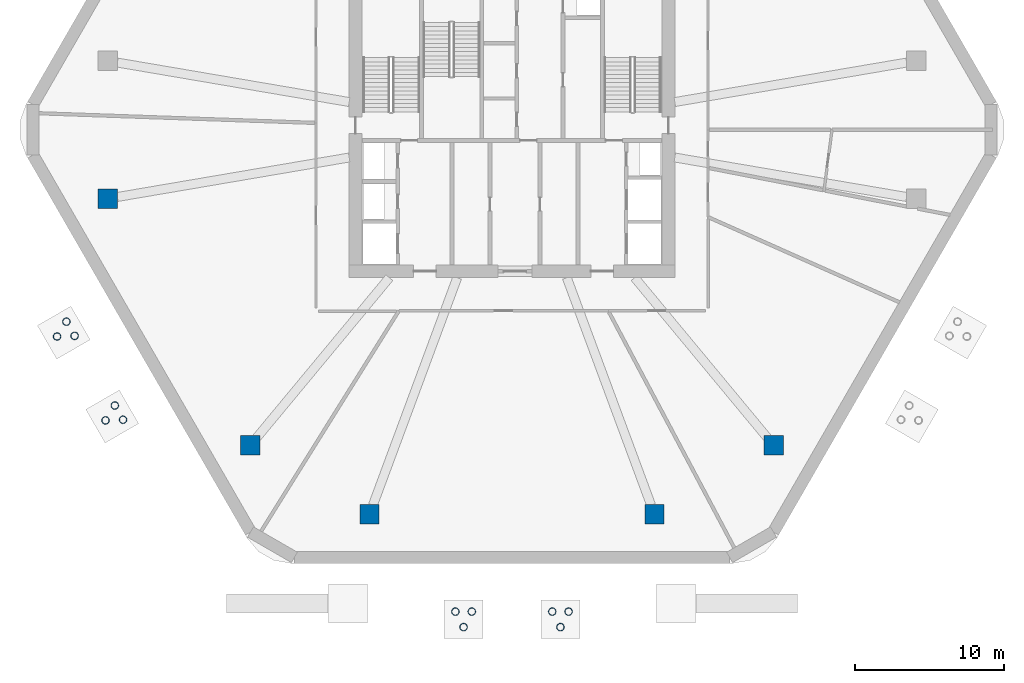
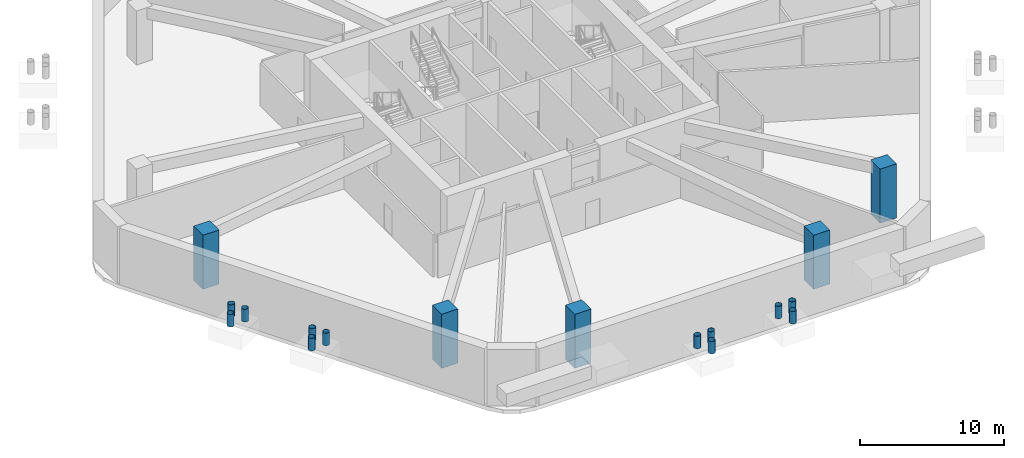
# One storey, part 2 of 10: 17 columns.
"""IFC4 building model written with IfcOpenShell, lengths in metres."""

from ifc_helpers import new_model, si_unit, direction, frame, origin, origin_2d, place, context, subcontext, project, spatial, rectangle, hollow_circle, extrude, material, material_profile, profile_set, type_object, element, save


model = new_model("IFC4")

# Units and contexts
model_context = context("Model", 3, precision=1e-05, world=origin(), true_north=direction((0.0, 1.0)))
body_context = subcontext(model_context, "Body", "Model", "MODEL_VIEW")
ifc_project = project(units=[si_unit("LENGTHUNIT", "METRE"), si_unit("AREAUNIT", "SQUARE_METRE"), si_unit("VOLUMEUNIT", "CUBIC_METRE"), si_unit("PLANEANGLEUNIT", "RADIAN"), si_unit("MASSUNIT", "GRAM", prefix="KILO")], contexts=[model_context])

# Site, building, storey
site_placement = place(None, origin())
site = spatial("IfcSite", under=ifc_project, at=site_placement, CompositionType="ELEMENT")
building_placement = place(site_placement, origin())
building = spatial("IfcBuilding", under=site, at=building_placement, Name="Zuhravey Tower", CompositionType="ELEMENT")
storey_placement = place(building_placement, frame((0.0, 0.0, -4.800048828125)))
storey = spatial("IfcBuildingStorey", under=building, at=storey_placement, Name="B01", CompositionType="ELEMENT", Elevation=-4.800048828125)

# Columns
ifc_material_1 = material(Name="Concrete C60/75", Category="concrete")
ifc_material_profile_1 = material_profile(ifc_material_1, rectangle(XDim=1.300048828125, YDim=1.300048828125, at=origin_2d()), Name="RC-1300x1300")
ifc_profile_set_1 = profile_set([ifc_material_profile_1], Name="Concrete C60/75")
column_type_1 = type_object("IfcColumnType", Name="Basement Column 1300x1300", PredefinedType="COLUMN", material=ifc_profile_set_1)
for number, where, z_axis, x_axis, name in (
    (1, (8.867919921875, 27.37890625, 0.0), (0.0, 0.0, 1.0), (1.0, 0.0, 0.0), "B01 Basement Column BC1-07"),
    (2, (18.431884765625, 10.8134765625, 0.0), (0.0, 0.0, 1.0), (1.0, 0.0, 0.0), "B01 Basement Column BC1-08"),
    (3, (26.43603515625, 6.1923828125, 0.0), (0.0, 0.0, 1.0), (1.0, 0.0, 0.0), "B01 Basement Column BC1-09"),
    (4, (45.56396484375, 6.1923828125, 0.0), (0.0, 0.0, 1.0), (1.0, 0.0, 0.0), "B01 Basement Column BC1-10"),
    (5, (53.568115234375, 10.8134765625, 0.0), (0.0, 0.0, 1.0), (1.0, 0.0, 0.0), "B01 Basement Column BC1-11"),
):
    element("IfcColumn", number, at=place(storey_placement, frame(where, z_axis=z_axis, x_axis=x_axis)), inside=storey, type_object=column_type_1, Name=name, PredefinedType="COLUMN", context=body_context, shape_type="SweptSolid", body=[
        extrude(rectangle(XDim=1.300048828125, YDim=1.300048828125, at=origin_2d()), origin(), (0.0, 0.0, 1.0), 4.580078125),
    ])
ifc_material_2 = material(Name="Steel SM355", Category="steel")
ifc_material_profile_2 = material_profile(ifc_material_2, hollow_circle(Radius=0.25390625, WallThickness=0.02001953125, at=origin_2d()), Name="CHS-508x20")
ifc_profile_set_2 = profile_set([ifc_material_profile_2], Name="Steel SM355")
column_type_2 = type_object("IfcColumnType", Name="Lobby Pavilion Column CHS508x20", PredefinedType="COLUMN", material=ifc_profile_set_2)
for number, where, z_axis, x_axis, name in (
    (6, (9.342041015625, 13.4912109375, 3.420166015625), (0.0, 0.0, 1.0), (1.0, 0.0, 0.0), "B01 Ramp 4 TOP Support Pier 1"),
    (7, (9.89208984375, 12.538818359375, 3.420166015625), (0.0, 0.0, 1.0), (1.0, 0.0, 0.0), "B01 Ramp 4 TOP Support Pier 2"),
    (8, (8.71630859375, 12.4951171875, 3.420166015625), (0.0, 0.0, 1.0), (1.0, 0.0, 0.0), "B01 Ramp 4 TOP Support Pier 3"),
    (9, (6.092041015625, 19.120361328125, 3.16015625), (0.0, 0.0, 1.0), (1.0, 0.0, 0.0), "B01 Ramp 4 BOT Support Pier 1"),
    (10, (6.64208984375, 18.167724609375, 3.16015625), (0.0, 0.0, 1.0), (1.0, 0.0, 0.0), "B01 Ramp 4 BOT Support Pier 2"),
    (11, (5.46630859375, 18.1240234375, 3.16015625), (0.0, 0.0, 1.0), (1.0, 0.0, 0.0), "B01 Ramp 4 BOT Support Pier 3"),
    (12, (38.699951171875, -0.3408203125, 3.420166015625), (0.0, 0.0, 1.0), (1.0, 0.0, 0.0), "B01 Ramp 5 TOP Support Pier 1"),
    (13, (39.800048828125, -0.3408203125, 3.420166015625), (0.0, 0.0, 1.0), (1.0, 0.0, 0.0), "B01 Ramp 5 TOP Support Pier 2"),
    (14, (39.25, -1.380859375, 3.420166015625), (0.0, 0.0, 1.0), (1.0, 0.0, 0.0), "B01 Ramp 5 TOP Support Pier 3"),
    (15, (32.199951171875, -0.3408203125, 3.16015625), (0.0, 0.0, 1.0), (1.0, 0.0, 0.0), "B01 Ramp 5 BOT Support Pier 1"),
    (16, (33.300048828125, -0.3408203125, 3.16015625), (0.0, 0.0, 1.0), (1.0, 0.0, 0.0), "B01 Ramp 5 BOT Support Pier 2"),
    (17, (32.75, -1.380859375, 3.16015625), (0.0, 0.0, 1.0), (1.0, 0.0, 0.0), "B01 Ramp 5 BOT Support Pier 3"),
):
    element("IfcColumn", number, at=place(storey_placement, frame(where, z_axis=z_axis, x_axis=x_axis)), inside=storey, type_object=column_type_2, Name=name, PredefinedType="COLUMN", context=body_context, shape_type="SweptSolid", body=[
        extrude(hollow_circle(Radius=0.25390625, WallThickness=0.02001953125, at=origin_2d()), origin(), (0.0, 0.0, 1.0), 1.059814453125),
    ])

save(model, "model.ifc")
